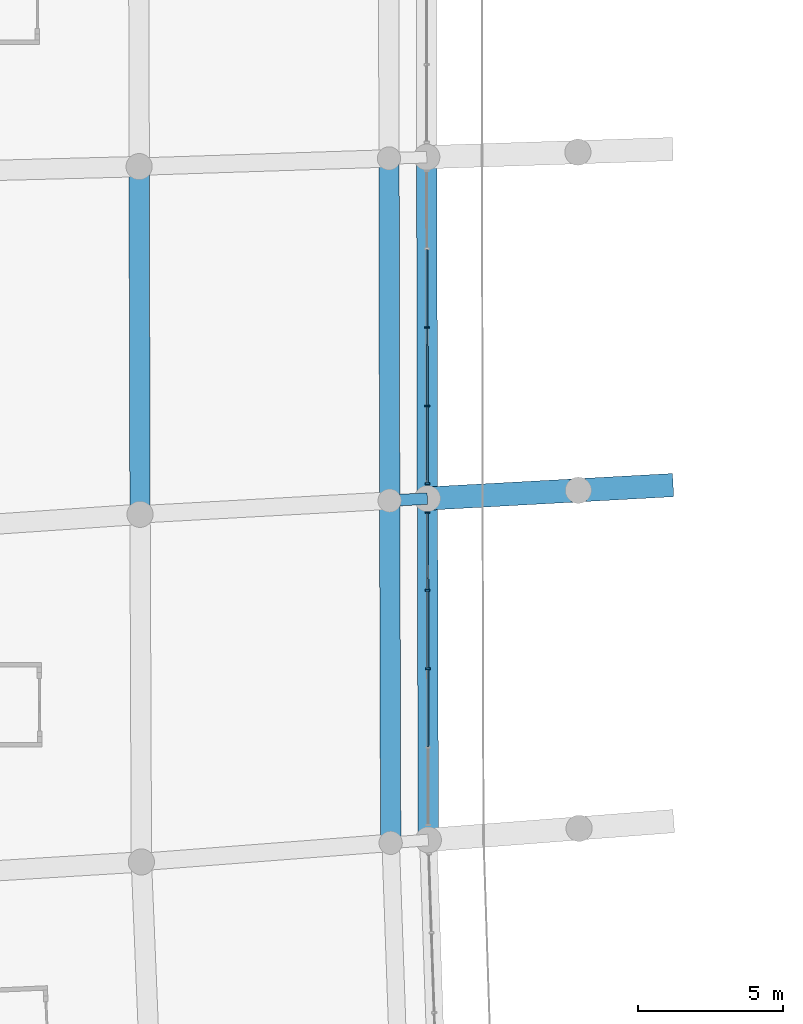
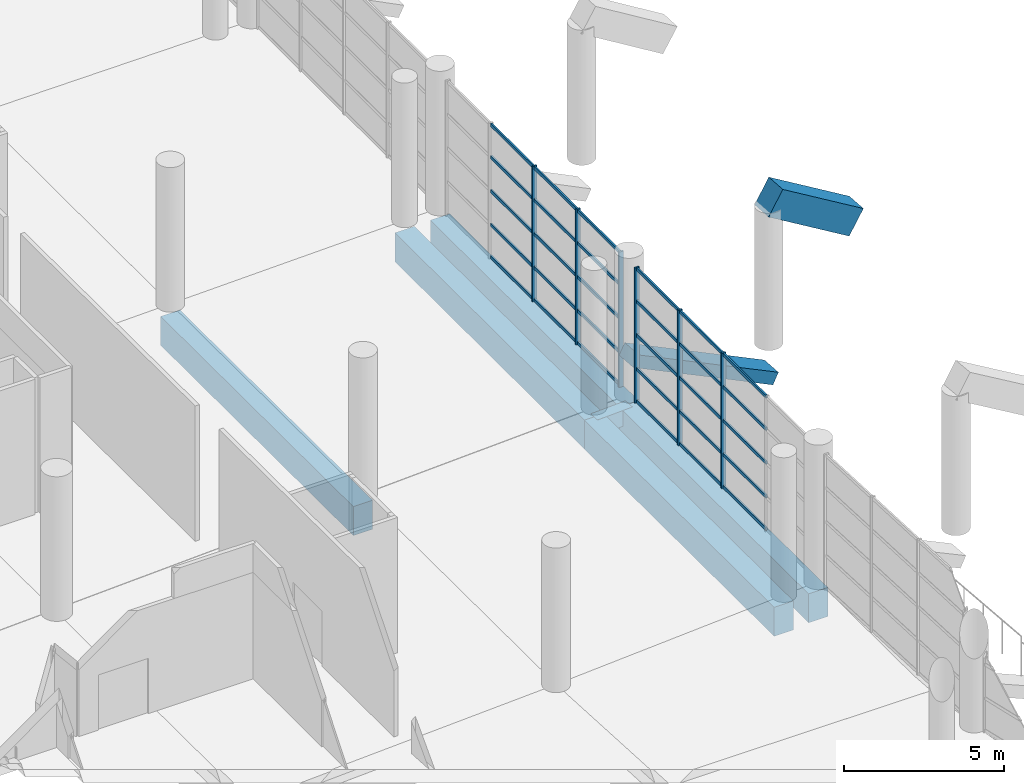
# One storey, part 34 of 271: 36 members, 8 beams, 2 elements without a shape of their own.
"""IFC4 building model written with IfcOpenShell, lengths in metres."""

from ifc_helpers import new_model, si_unit, direction, frame, origin, origin_2d, place, context, subcontext, project, spatial, rectangle, extrude, material, layer, layer_set, material_profile, profile_set, type_object, element, aggregate, save


model = new_model("IFC4")

# Units and contexts
model_context = context("Model", 3, precision=1e-05, world=origin(), true_north=direction((0.0, 1.0)))
body_context = subcontext(model_context, "Body", "Model", "MODEL_VIEW")
ifc_project = project(units=[si_unit("LENGTHUNIT", "METRE"), si_unit("AREAUNIT", "SQUARE_METRE"), si_unit("VOLUMEUNIT", "CUBIC_METRE"), si_unit("PLANEANGLEUNIT", "RADIAN"), si_unit("MASSUNIT", "GRAM", prefix="KILO")], contexts=[model_context])

# Site, building, storey
site_placement = place(None, origin())
site = spatial("IfcSite", under=ifc_project, at=site_placement, CompositionType="ELEMENT")
building_placement = place(site_placement, origin())
building = spatial("IfcBuilding", under=site, at=building_placement, Name="Meseta Stadium", CompositionType="ELEMENT")
storey_placement = place(building_placement, frame((0.0, 0.0, 6.5)))
storey = spatial("IfcBuildingStorey", under=building, at=storey_placement, Name="L01", CompositionType="ELEMENT", Elevation=6.5)

# Curtain wall, members
ifc_material_1 = material(Name="Aluminium", Category="aluminium")
ifc_layer = layer(ifc_material_1, 0.199951171875)
ifc_layer_set = layer_set([ifc_layer], Name="Club glazing curtain wall")
curtain_wall_type = type_object("IfcCurtainWallType", Name="Club glazing curtain wall", PredefinedType="NOTDEFINED", material=ifc_layer_set)
curtain_wall_1_placement = place(storey_placement, origin())
curtain_wall_1 = element("IfcCurtainWall", 1, at=curtain_wall_1_placement, inside=storey, type_object=curtain_wall_type, Name="Club glazing bay 34", PredefinedType="NOTDEFINED")
ifc_material_2 = material(Name="Aluminium", Category="aluminium")
ifc_material_profile_1 = material_profile(ifc_material_2, rectangle(XDim=0.159912109375, YDim=0.06005859375, at=origin_2d()), Name="CW 160x60")
ifc_profile_set_1 = profile_set([ifc_material_profile_1], Name="Aluminium")
member_type_1 = type_object("IfcMemberType", Name="CW mullion 60x160", PredefinedType="MULLION", material=ifc_profile_set_1)
member_1_placement = place(storey_placement, frame((-63.576904296875, -23.475341796875, 0.0), z_axis=(0.0, 0.0, 1.0), x_axis=(0.999998297516, 0.0018452545, 0.0)))
member_1 = element("IfcMember", 2, at=member_1_placement, type_object=member_type_1, Name="CWC mullion 3", PredefinedType="MULLION", context=body_context, shape_type="SweptSolid", body=[
    extrude(rectangle(XDim=0.159912109375, YDim=0.06005859375, at=origin_2d()), origin(), (0.0, 0.0, 1.0), 5.14990234375),
])
member_2_placement = place(storey_placement, frame((-63.572021484375, -26.178955078125, 0.0), z_axis=(0.0, 0.0, 1.0), x_axis=(0.999998297516, 0.0018452545, 0.0)))
member_2 = element("IfcMember", 3, at=member_2_placement, type_object=member_type_1, Name="CWC mullion 4", PredefinedType="MULLION", context=body_context, shape_type="SweptSolid", body=[
    extrude(rectangle(XDim=0.159912109375, YDim=0.06005859375, at=origin_2d()), origin(), (0.0, 0.0, 1.0), 5.14990234375),
])
member_3_placement = place(storey_placement, frame((-63.567138671875, -28.8525390625, 0.0), z_axis=(0.0, 0.0, 1.0), x_axis=(0.999998297516, 0.0018452545, 0.0)))
member_3 = element("IfcMember", 4, at=member_3_placement, type_object=member_type_1, Name="CWC mullion 5", PredefinedType="MULLION", context=body_context, shape_type="SweptSolid", body=[
    extrude(rectangle(XDim=0.159912109375, YDim=0.06005859375, at=origin_2d()), origin(), (0.0, 0.0, 1.0), 5.14990234375),
])

curtain_wall_2_placement = place(storey_placement, origin())
curtain_wall_2 = element("IfcCurtainWall", 5, at=curtain_wall_2_placement, inside=storey, type_object=curtain_wall_type, Name="Club glazing bay 35", PredefinedType="NOTDEFINED")
member_4_placement = place(storey_placement, frame((-63.564697265625, -29.842041015625, 0.0), z_axis=(0.0, 0.0, 1.0), x_axis=(0.999996195715, 0.002758360998, 0.0)))
member_4 = element("IfcMember", 6, at=member_4_placement, type_object=member_type_1, Name="CWC mullion 1", PredefinedType="MULLION", context=body_context, shape_type="SweptSolid", body=[
    extrude(rectangle(XDim=0.159912109375, YDim=0.06005859375, at=origin_2d()), origin(), (0.0, 0.0, 1.0), 5.14990234375),
])
member_5_placement = place(storey_placement, frame((-63.557373046875, -32.51513671875, 0.0), z_axis=(0.0, 0.0, 1.0), x_axis=(0.999996195715, 0.002758360998, 0.0)))
member_5 = element("IfcMember", 7, at=member_5_placement, type_object=member_type_1, Name="CWC mullion 2", PredefinedType="MULLION", context=body_context, shape_type="SweptSolid", body=[
    extrude(rectangle(XDim=0.159912109375, YDim=0.06005859375, at=origin_2d()), origin(), (0.0, 0.0, 1.0), 5.14990234375),
])
member_6_placement = place(storey_placement, frame((-63.550048828125, -35.21826171875, 0.0), z_axis=(0.0, 0.0, 1.0), x_axis=(0.999996195715, 0.002758360998, 0.0)))
member_6 = element("IfcMember", 8, at=member_6_placement, type_object=member_type_1, Name="CWC mullion 3", PredefinedType="MULLION", context=body_context, shape_type="SweptSolid", body=[
    extrude(rectangle(XDim=0.159912109375, YDim=0.06005859375, at=origin_2d()), origin(), (0.0, 0.0, 1.0), 5.14990234375),
])

# Member
ifc_material_3 = material(Name="Aluminium", Category="aluminium")
ifc_material_profile_2 = material_profile(ifc_material_3, rectangle(XDim=0.06005859375, YDim=0.1201171875, at=origin_2d()), Name="CW 60x120")
ifc_profile_set_2 = profile_set([ifc_material_profile_2], Name="Aluminium")
member_type_2 = type_object("IfcMemberType", Name="CW transom 60x120", PredefinedType="USERDEFINED", material=ifc_profile_set_2)
member_7_placement = place(storey_placement, frame((-63.581787109375, -20.801513671875, 0.06005859375), z_axis=(0.001754545272, -0.999998460784, 0.0), x_axis=(0.999998460784, 0.001754545272, 0.0)))
member_7 = element("IfcMember", 9, at=member_7_placement, type_object=member_type_2, Name="CWC transom 2.1", ObjectType="TRANSOM", PredefinedType="USERDEFINED", context=body_context, shape_type="SweptSolid", body=[
    extrude(rectangle(XDim=0.06005859375, YDim=0.1201171875, at=origin_2d()), origin(), (0.0, 0.0, 1.0), 2.643798828125),
])

member_8_placement = place(storey_placement, frame((-63.581787109375, -20.801513671875, 1.28759765625), z_axis=(0.001754545272, -0.999998460784, 0.0), x_axis=(0.999998460784, 0.001754545272, 0.0)))
member_8 = element("IfcMember", 10, at=member_8_placement, type_object=member_type_2, Name="CWC transom 2.2", ObjectType="TRANSOM", PredefinedType="USERDEFINED", context=body_context, shape_type="SweptSolid", body=[
    extrude(rectangle(XDim=0.06005859375, YDim=0.1201171875, at=origin_2d()), origin(), (0.0, 0.0, 1.0), 2.643798828125),
])

member_9_placement = place(storey_placement, frame((-63.581787109375, -20.801513671875, 2.574951171875), z_axis=(0.001754545272, -0.999998460784, 0.0), x_axis=(0.999998460784, 0.001754545272, 0.0)))
member_9 = element("IfcMember", 11, at=member_9_placement, type_object=member_type_2, Name="CWC transom 2.3", ObjectType="TRANSOM", PredefinedType="USERDEFINED", context=body_context, shape_type="SweptSolid", body=[
    extrude(rectangle(XDim=0.06005859375, YDim=0.1201171875, at=origin_2d()), origin(), (0.0, 0.0, 1.0), 2.643798828125),
])

member_10_placement = place(storey_placement, frame((-63.581787109375, -20.801513671875, 3.862548828125), z_axis=(0.001754545272, -0.999998460784, 0.0), x_axis=(0.999998460784, 0.001754545272, 0.0)))
member_10 = element("IfcMember", 12, at=member_10_placement, type_object=member_type_2, Name="CWC transom 2.4", ObjectType="TRANSOM", PredefinedType="USERDEFINED", context=body_context, shape_type="SweptSolid", body=[
    extrude(rectangle(XDim=0.06005859375, YDim=0.1201171875, at=origin_2d()), origin(), (0.0, 0.0, 1.0), 2.643798828125),
])

member_11_placement = place(storey_placement, frame((-63.581787109375, -20.801513671875, 5.090087890625), z_axis=(0.001754545272, -0.999998460784, 0.0), x_axis=(0.999998460784, 0.001754545272, 0.0)))
member_11 = element("IfcMember", 13, at=member_11_placement, type_object=member_type_2, Name="CWC transom 2.5", ObjectType="TRANSOM", PredefinedType="USERDEFINED", context=body_context, shape_type="SweptSolid", body=[
    extrude(rectangle(XDim=0.06005859375, YDim=0.1201171875, at=origin_2d()), origin(), (0.0, 0.0, 1.0), 2.643798828125),
])

member_12_placement = place(storey_placement, frame((-63.576904296875, -23.50537109375, 0.06005859375), z_axis=(0.001847060019, -0.999998294183, 0.0), x_axis=(0.999998294183, 0.001847060019, 0.0)))
member_12 = element("IfcMember", 14, at=member_12_placement, type_object=member_type_2, Name="CWC transom 3.1", ObjectType="TRANSOM", PredefinedType="USERDEFINED", context=body_context, shape_type="SweptSolid", body=[
    extrude(rectangle(XDim=0.06005859375, YDim=0.1201171875, at=origin_2d()), origin(), (0.0, 0.0, 1.0), 2.6435546875),
])

member_13_placement = place(storey_placement, frame((-63.576904296875, -23.50537109375, 1.28759765625), z_axis=(0.001847060019, -0.999998294183, 0.0), x_axis=(0.999998294183, 0.001847060019, 0.0)))
member_13 = element("IfcMember", 15, at=member_13_placement, type_object=member_type_2, Name="CWC transom 3.2", ObjectType="TRANSOM", PredefinedType="USERDEFINED", context=body_context, shape_type="SweptSolid", body=[
    extrude(rectangle(XDim=0.06005859375, YDim=0.1201171875, at=origin_2d()), origin(), (0.0, 0.0, 1.0), 2.6435546875),
])

member_14_placement = place(storey_placement, frame((-63.576904296875, -23.50537109375, 2.574951171875), z_axis=(0.001847060019, -0.999998294183, 0.0), x_axis=(0.999998294183, 0.001847060019, 0.0)))
member_14 = element("IfcMember", 16, at=member_14_placement, type_object=member_type_2, Name="CWC transom 3.3", ObjectType="TRANSOM", PredefinedType="USERDEFINED", context=body_context, shape_type="SweptSolid", body=[
    extrude(rectangle(XDim=0.06005859375, YDim=0.1201171875, at=origin_2d()), origin(), (0.0, 0.0, 1.0), 2.6435546875),
])

member_15_placement = place(storey_placement, frame((-63.576904296875, -23.50537109375, 3.862548828125), z_axis=(0.001847060019, -0.999998294183, 0.0), x_axis=(0.999998294183, 0.001847060019, 0.0)))
member_15 = element("IfcMember", 17, at=member_15_placement, type_object=member_type_2, Name="CWC transom 3.4", ObjectType="TRANSOM", PredefinedType="USERDEFINED", context=body_context, shape_type="SweptSolid", body=[
    extrude(rectangle(XDim=0.06005859375, YDim=0.1201171875, at=origin_2d()), origin(), (0.0, 0.0, 1.0), 2.6435546875),
])

member_16_placement = place(storey_placement, frame((-63.576904296875, -23.50537109375, 5.090087890625), z_axis=(0.001847060019, -0.999998294183, 0.0), x_axis=(0.999998294183, 0.001847060019, 0.0)))
member_16 = element("IfcMember", 18, at=member_16_placement, type_object=member_type_2, Name="CWC transom 3.5", ObjectType="TRANSOM", PredefinedType="USERDEFINED", context=body_context, shape_type="SweptSolid", body=[
    extrude(rectangle(XDim=0.06005859375, YDim=0.1201171875, at=origin_2d()), origin(), (0.0, 0.0, 1.0), 2.6435546875),
])

member_17_placement = place(storey_placement, frame((-63.572021484375, -26.208984375, 0.06005859375), z_axis=(0.001868282587, -0.999998254759, 0.0), x_axis=(0.999998254759, 0.001868282587, 0.0)))
member_17 = element("IfcMember", 19, at=member_17_placement, type_object=member_type_2, Name="CWC transom 4.1", ObjectType="TRANSOM", PredefinedType="USERDEFINED", context=body_context, shape_type="SweptSolid", body=[
    extrude(rectangle(XDim=0.06005859375, YDim=0.1201171875, at=origin_2d()), origin(), (0.0, 0.0, 1.0), 2.613525390625),
])

member_18_placement = place(storey_placement, frame((-63.572021484375, -26.208984375, 1.28759765625), z_axis=(0.001868282587, -0.999998254759, 0.0), x_axis=(0.999998254759, 0.001868282587, 0.0)))
member_18 = element("IfcMember", 20, at=member_18_placement, type_object=member_type_2, Name="CWC transom 4.2", ObjectType="TRANSOM", PredefinedType="USERDEFINED", context=body_context, shape_type="SweptSolid", body=[
    extrude(rectangle(XDim=0.06005859375, YDim=0.1201171875, at=origin_2d()), origin(), (0.0, 0.0, 1.0), 2.613525390625),
])

member_19_placement = place(storey_placement, frame((-63.572021484375, -26.208984375, 2.574951171875), z_axis=(0.001868282587, -0.999998254759, 0.0), x_axis=(0.999998254759, 0.001868282587, 0.0)))
member_19 = element("IfcMember", 21, at=member_19_placement, type_object=member_type_2, Name="CWC transom 4.3", ObjectType="TRANSOM", PredefinedType="USERDEFINED", context=body_context, shape_type="SweptSolid", body=[
    extrude(rectangle(XDim=0.06005859375, YDim=0.1201171875, at=origin_2d()), origin(), (0.0, 0.0, 1.0), 2.613525390625),
])

member_20_placement = place(storey_placement, frame((-63.572021484375, -26.208984375, 3.862548828125), z_axis=(0.001868282587, -0.999998254759, 0.0), x_axis=(0.999998254759, 0.001868282587, 0.0)))
member_20 = element("IfcMember", 22, at=member_20_placement, type_object=member_type_2, Name="CWC transom 4.4", ObjectType="TRANSOM", PredefinedType="USERDEFINED", context=body_context, shape_type="SweptSolid", body=[
    extrude(rectangle(XDim=0.06005859375, YDim=0.1201171875, at=origin_2d()), origin(), (0.0, 0.0, 1.0), 2.613525390625),
])

member_21_placement = place(storey_placement, frame((-63.572021484375, -26.208984375, 5.090087890625), z_axis=(0.001868282587, -0.999998254759, 0.0), x_axis=(0.999998254759, 0.001868282587, 0.0)))
member_21 = element("IfcMember", 23, at=member_21_placement, type_object=member_type_2, Name="CWC transom 4.5", ObjectType="TRANSOM", PredefinedType="USERDEFINED", context=body_context, shape_type="SweptSolid", body=[
    extrude(rectangle(XDim=0.06005859375, YDim=0.1201171875, at=origin_2d()), origin(), (0.0, 0.0, 1.0), 2.613525390625),
])

aggregate(curtain_wall_1, [member_1, member_2, member_3, member_7, member_8, member_9, member_10, member_11, member_12, member_13, member_14, member_15, member_16, member_17, member_18, member_19, member_20, member_21])

member_22_placement = place(storey_placement, frame((-63.564697265625, -29.8720703125, 0.06005859375), z_axis=(0.002709510749, -0.999996329269, 0.0), x_axis=(0.999996329269, 0.002709510749, 0.0)))
member_22 = element("IfcMember", 24, at=member_22_placement, type_object=member_type_2, Name="CWC transom 1.1", ObjectType="TRANSOM", PredefinedType="USERDEFINED", context=body_context, shape_type="SweptSolid", body=[
    extrude(rectangle(XDim=0.06005859375, YDim=0.1201171875, at=origin_2d()), origin(), (0.0, 0.0, 1.0), 2.613037109375),
])

member_23_placement = place(storey_placement, frame((-63.564697265625, -29.8720703125, 1.28759765625), z_axis=(0.002709510749, -0.999996329269, 0.0), x_axis=(0.999996329269, 0.002709510749, 0.0)))
member_23 = element("IfcMember", 25, at=member_23_placement, type_object=member_type_2, Name="CWC transom 1.2", ObjectType="TRANSOM", PredefinedType="USERDEFINED", context=body_context, shape_type="SweptSolid", body=[
    extrude(rectangle(XDim=0.06005859375, YDim=0.1201171875, at=origin_2d()), origin(), (0.0, 0.0, 1.0), 2.613037109375),
])

member_24_placement = place(storey_placement, frame((-63.564697265625, -29.8720703125, 2.574951171875), z_axis=(0.002709510749, -0.999996329269, 0.0), x_axis=(0.999996329269, 0.002709510749, 0.0)))
member_24 = element("IfcMember", 26, at=member_24_placement, type_object=member_type_2, Name="CWC transom 1.3", ObjectType="TRANSOM", PredefinedType="USERDEFINED", context=body_context, shape_type="SweptSolid", body=[
    extrude(rectangle(XDim=0.06005859375, YDim=0.1201171875, at=origin_2d()), origin(), (0.0, 0.0, 1.0), 2.613037109375),
])

member_25_placement = place(storey_placement, frame((-63.564697265625, -29.8720703125, 3.862548828125), z_axis=(0.002709510749, -0.999996329269, 0.0), x_axis=(0.999996329269, 0.002709510749, 0.0)))
member_25 = element("IfcMember", 27, at=member_25_placement, type_object=member_type_2, Name="CWC transom 1.4", ObjectType="TRANSOM", PredefinedType="USERDEFINED", context=body_context, shape_type="SweptSolid", body=[
    extrude(rectangle(XDim=0.06005859375, YDim=0.1201171875, at=origin_2d()), origin(), (0.0, 0.0, 1.0), 2.613037109375),
])

member_26_placement = place(storey_placement, frame((-63.564697265625, -29.8720703125, 5.090087890625), z_axis=(0.002709510749, -0.999996329269, 0.0), x_axis=(0.999996329269, 0.002709510749, 0.0)))
member_26 = element("IfcMember", 28, at=member_26_placement, type_object=member_type_2, Name="CWC transom 1.5", ObjectType="TRANSOM", PredefinedType="USERDEFINED", context=body_context, shape_type="SweptSolid", body=[
    extrude(rectangle(XDim=0.06005859375, YDim=0.1201171875, at=origin_2d()), origin(), (0.0, 0.0, 1.0), 2.613037109375),
])

member_27_placement = place(storey_placement, frame((-63.557373046875, -32.545166015625, 0.06005859375), z_axis=(0.002771095956, -0.999996160506, 0.0), x_axis=(0.999996160506, 0.002771095956, 0.0)))
member_27 = element("IfcMember", 29, at=member_27_placement, type_object=member_type_2, Name="CWC transom 2.1", ObjectType="TRANSOM", PredefinedType="USERDEFINED", context=body_context, shape_type="SweptSolid", body=[
    extrude(rectangle(XDim=0.06005859375, YDim=0.1201171875, at=origin_2d()), origin(), (0.0, 0.0, 1.0), 2.64306640625),
])

member_28_placement = place(storey_placement, frame((-63.557373046875, -32.545166015625, 1.28759765625), z_axis=(0.002771095956, -0.999996160506, 0.0), x_axis=(0.999996160506, 0.002771095956, 0.0)))
member_28 = element("IfcMember", 30, at=member_28_placement, type_object=member_type_2, Name="CWC transom 2.2", ObjectType="TRANSOM", PredefinedType="USERDEFINED", context=body_context, shape_type="SweptSolid", body=[
    extrude(rectangle(XDim=0.06005859375, YDim=0.1201171875, at=origin_2d()), origin(), (0.0, 0.0, 1.0), 2.64306640625),
])

member_29_placement = place(storey_placement, frame((-63.557373046875, -32.545166015625, 2.574951171875), z_axis=(0.002771095956, -0.999996160506, 0.0), x_axis=(0.999996160506, 0.002771095956, 0.0)))
member_29 = element("IfcMember", 31, at=member_29_placement, type_object=member_type_2, Name="CWC transom 2.3", ObjectType="TRANSOM", PredefinedType="USERDEFINED", context=body_context, shape_type="SweptSolid", body=[
    extrude(rectangle(XDim=0.06005859375, YDim=0.1201171875, at=origin_2d()), origin(), (0.0, 0.0, 1.0), 2.64306640625),
])

member_30_placement = place(storey_placement, frame((-63.557373046875, -32.545166015625, 3.862548828125), z_axis=(0.002771095956, -0.999996160506, 0.0), x_axis=(0.999996160506, 0.002771095956, 0.0)))
member_30 = element("IfcMember", 32, at=member_30_placement, type_object=member_type_2, Name="CWC transom 2.4", ObjectType="TRANSOM", PredefinedType="USERDEFINED", context=body_context, shape_type="SweptSolid", body=[
    extrude(rectangle(XDim=0.06005859375, YDim=0.1201171875, at=origin_2d()), origin(), (0.0, 0.0, 1.0), 2.64306640625),
])

member_31_placement = place(storey_placement, frame((-63.557373046875, -32.545166015625, 5.090087890625), z_axis=(0.002771095956, -0.999996160506, 0.0), x_axis=(0.999996160506, 0.002771095956, 0.0)))
member_31 = element("IfcMember", 33, at=member_31_placement, type_object=member_type_2, Name="CWC transom 2.5", ObjectType="TRANSOM", PredefinedType="USERDEFINED", context=body_context, shape_type="SweptSolid", body=[
    extrude(rectangle(XDim=0.06005859375, YDim=0.1201171875, at=origin_2d()), origin(), (0.0, 0.0, 1.0), 2.64306640625),
])

member_32_placement = place(storey_placement, frame((-63.5498046875, -35.248291015625, 0.06005859375), z_axis=(0.002771095956, -0.999996160506, 0.0), x_axis=(0.999996160506, 0.002771095956, 0.0)))
member_32 = element("IfcMember", 34, at=member_32_placement, type_object=member_type_2, Name="CWC transom 3.1", ObjectType="TRANSOM", PredefinedType="USERDEFINED", context=body_context, shape_type="SweptSolid", body=[
    extrude(rectangle(XDim=0.06005859375, YDim=0.1201171875, at=origin_2d()), origin(), (0.0, 0.0, 1.0), 2.64306640625),
])

member_33_placement = place(storey_placement, frame((-63.5498046875, -35.248291015625, 1.28759765625), z_axis=(0.002771095956, -0.999996160506, 0.0), x_axis=(0.999996160506, 0.002771095956, 0.0)))
member_33 = element("IfcMember", 35, at=member_33_placement, type_object=member_type_2, Name="CWC transom 3.2", ObjectType="TRANSOM", PredefinedType="USERDEFINED", context=body_context, shape_type="SweptSolid", body=[
    extrude(rectangle(XDim=0.06005859375, YDim=0.1201171875, at=origin_2d()), origin(), (0.0, 0.0, 1.0), 2.64306640625),
])

member_34_placement = place(storey_placement, frame((-63.5498046875, -35.248291015625, 2.574951171875), z_axis=(0.002771095956, -0.999996160506, 0.0), x_axis=(0.999996160506, 0.002771095956, 0.0)))
member_34 = element("IfcMember", 36, at=member_34_placement, type_object=member_type_2, Name="CWC transom 3.3", ObjectType="TRANSOM", PredefinedType="USERDEFINED", context=body_context, shape_type="SweptSolid", body=[
    extrude(rectangle(XDim=0.06005859375, YDim=0.1201171875, at=origin_2d()), origin(), (0.0, 0.0, 1.0), 2.64306640625),
])

member_35_placement = place(storey_placement, frame((-63.5498046875, -35.248291015625, 3.862548828125), z_axis=(0.002771095956, -0.999996160506, 0.0), x_axis=(0.999996160506, 0.002771095956, 0.0)))
member_35 = element("IfcMember", 37, at=member_35_placement, type_object=member_type_2, Name="CWC transom 3.4", ObjectType="TRANSOM", PredefinedType="USERDEFINED", context=body_context, shape_type="SweptSolid", body=[
    extrude(rectangle(XDim=0.06005859375, YDim=0.1201171875, at=origin_2d()), origin(), (0.0, 0.0, 1.0), 2.64306640625),
])

member_36_placement = place(storey_placement, frame((-63.5498046875, -35.248291015625, 5.090087890625), z_axis=(0.002771095956, -0.999996160506, 0.0), x_axis=(0.999996160506, 0.002771095956, 0.0)))
member_36 = element("IfcMember", 38, at=member_36_placement, type_object=member_type_2, Name="CWC transom 3.5", ObjectType="TRANSOM", PredefinedType="USERDEFINED", context=body_context, shape_type="SweptSolid", body=[
    extrude(rectangle(XDim=0.06005859375, YDim=0.1201171875, at=origin_2d()), origin(), (0.0, 0.0, 1.0), 2.64306640625),
])

aggregate(curtain_wall_2, [member_4, member_5, member_6, member_22, member_23, member_24, member_25, member_26, member_27, member_28, member_29, member_30, member_31, member_32, member_33, member_34, member_35, member_36])

# Beams
ifc_material_4 = material(Name="Concrete C40/50", Category="concrete")
ifc_material_profile_3 = material_profile(ifc_material_4, rectangle(XDim=0.39990234375, YDim=0.60009765625, at=origin_2d()), Name="RC 400x600")
ifc_profile_set_3 = profile_set([ifc_material_profile_3], Name="Concrete C40/50")
beam_type_1 = type_object("IfcBeamType", Name="RC beam 400x600", PredefinedType="BEAM", material=ifc_profile_set_3)
beam_1_placement = place(storey_placement, frame((-63.566162109375, -29.3623046875, -0.64990234375), z_axis=(-0.998505663725, -0.054648325775, 0.0), x_axis=(0.054648325775, -0.998505663725, 0.0)))
element("IfcBeam", 39, at=beam_1_placement, inside=storey, type_object=beam_type_1, Name="L01 radial beam frame 35 line C to D", PredefinedType="BEAM", context=body_context, shape_type="SweptSolid", body=[
    extrude(rectangle(XDim=0.39990234375, YDim=0.60009765625, at=origin_2d()), origin(), (0.0, 0.0, 1.0), 1.300048828125),
])
ifc_material_5 = material(Name="Concrete C40/50", Category="concrete")
ifc_material_profile_4 = material_profile(ifc_material_5, rectangle(XDim=0.699951171875, YDim=1.10009765625, at=origin_2d()), Name="RC 700x1100")
ifc_profile_set_4 = profile_set([ifc_material_profile_4], Name="Concrete C40/50")
beam_type_2 = type_object("IfcBeamType", Name="RC beam 700x1100", PredefinedType="BEAM", material=ifc_profile_set_4)
beam_2_placement = place(storey_placement, frame((-63.587890625, -17.617919921875, -0.89990234375), z_axis=(0.001850116364, -0.999998288533, 0.0), x_axis=(0.999998288533, 0.001850116364, 0.0)))
element("IfcBeam", 40, at=beam_2_placement, inside=storey, type_object=beam_type_2, Name="L01 ring beam frame 34 line C", PredefinedType="BEAM", context=body_context, shape_type="SweptSolid", body=[
    extrude(rectangle(XDim=0.699951171875, YDim=1.10009765625, at=origin_2d()), origin(), (0.0, 0.0, 1.0), 11.744384765625),
])
beam_3_placement = place(storey_placement, frame((-64.88720703125, -17.660888671875, -0.89990234375), z_axis=(0.001949394886, -0.999998099928, 0.0), x_axis=(0.999998099928, 0.001949394886, 0.0)))
element("IfcBeam", 41, at=beam_3_placement, inside=storey, type_object=beam_type_2, Name="L01 ring beam frame 34 line D", PredefinedType="BEAM", context=body_context, shape_type="SweptSolid", body=[
    extrude(rectangle(XDim=0.699951171875, YDim=1.10009765625, at=origin_2d()), origin(), (0.0, 0.0, 1.0), 11.7724609375),
])
beam_4_placement = place(storey_placement, frame((-73.482421875, -17.943603515625, -0.89990234375), z_axis=(0.002592357078, -0.999996639837, 0.0), x_axis=(0.999996639837, 0.002592357078, 0.0)))
element("IfcBeam", 42, at=beam_4_placement, inside=storey, type_object=beam_type_2, Name="L01 ring beam frame 34 line E", PredefinedType="BEAM", context=body_context, shape_type="SweptSolid", body=[
    extrude(rectangle(XDim=0.699951171875, YDim=1.10009765625, at=origin_2d()), origin(), (0.0, 0.0, 1.0), 11.96044921875),
])
beam_5_placement = place(storey_placement, frame((-63.566162109375, -29.3623046875, -0.89990234375), z_axis=(0.002765292155, -0.999996176572, 0.0), x_axis=(0.999996176572, 0.002765292155, 0.0)))
element("IfcBeam", 43, at=beam_5_placement, inside=storey, type_object=beam_type_2, Name="L01 ring beam frame 35 line C", PredefinedType="BEAM", context=body_context, shape_type="SweptSolid", body=[
    extrude(rectangle(XDim=0.699951171875, YDim=1.10009765625, at=origin_2d()), origin(), (0.0, 0.0, 1.0), 11.7421875),
])
beam_6_placement = place(storey_placement, frame((-64.8642578125, -29.433349609375, -0.89990234375), z_axis=(0.002924509925, -0.999995723612, 0.0), x_axis=(0.999995723612, 0.002924509925, 0.0)))
element("IfcBeam", 44, at=beam_6_placement, inside=storey, type_object=beam_type_2, Name="L01 ring beam frame 35 line D", PredefinedType="BEAM", context=body_context, shape_type="SweptSolid", body=[
    extrude(rectangle(XDim=0.699951171875, YDim=1.10009765625, at=origin_2d()), origin(), (0.0, 0.0, 1.0), 11.770751953125),
])
ifc_material_6 = material(Name="Concrete C40/50", Category="concrete")
ifc_material_profile_5 = material_profile(ifc_material_6, rectangle(XDim=0.800048828125, YDim=0.449951171875, at=origin_2d()), Name="RC 800x450")
ifc_profile_set_5 = profile_set([ifc_material_profile_5], Name="Concrete C40/50")
beam_type_3 = type_object("IfcBeamType", Name="RC raker lower 800x450", PredefinedType="USERDEFINED", material=ifc_profile_set_5)
beam_7_placement = place(storey_placement, frame((-58.373779296875, -29.077392578125, -1.146240234375), z_axis=(-0.889514236791, -0.048808685083, 0.454293005456), x_axis=(0.054788749724, -0.998497968402, 0.0)))
element("IfcBeam", 45, at=beam_7_placement, inside=storey, type_object=beam_type_3, Name="Raker lower frame 35 lower tier", ObjectType="RAKER", PredefinedType="USERDEFINED", context=body_context, shape_type="SweptSolid", body=[
    extrude(rectangle(XDim=0.800048828125, YDim=0.449951171875, at=origin_2d()), origin(), (0.0, 0.0, 1.0), 5.83740234375),
])
ifc_material_7 = material(Name="Concrete C40/50", Category="concrete")
ifc_material_profile_6 = material_profile(ifc_material_7, rectangle(XDim=0.800048828125, YDim=1.0, at=origin_2d()), Name="RC 800x1000")
ifc_profile_set_6 = profile_set([ifc_material_profile_6], Name="Concrete C40/50")
beam_type_4 = type_object("IfcBeamType", Name="RC raker upper front 800x1000", PredefinedType="USERDEFINED", material=ifc_profile_set_6)
beam_8_placement = place(storey_placement, frame((-55.37841796875, -28.913330078125, 3.651611328125), z_axis=(-0.846717350403, -0.046376563654, 0.530017870331), x_axis=(0.054690216379, -0.998503370166, 0.0)))
element("IfcBeam", 46, at=beam_8_placement, inside=storey, type_object=beam_type_4, Name="Raker upper front frame 35 upper tier", ObjectType="RAKER", PredefinedType="USERDEFINED", context=body_context, shape_type="SweptSolid", body=[
    extrude(rectangle(XDim=0.800048828125, YDim=1.0, at=origin_2d()), origin(), (0.0, 0.0, 1.0), 3.53759765625),
])

save(model, "model.ifc")
